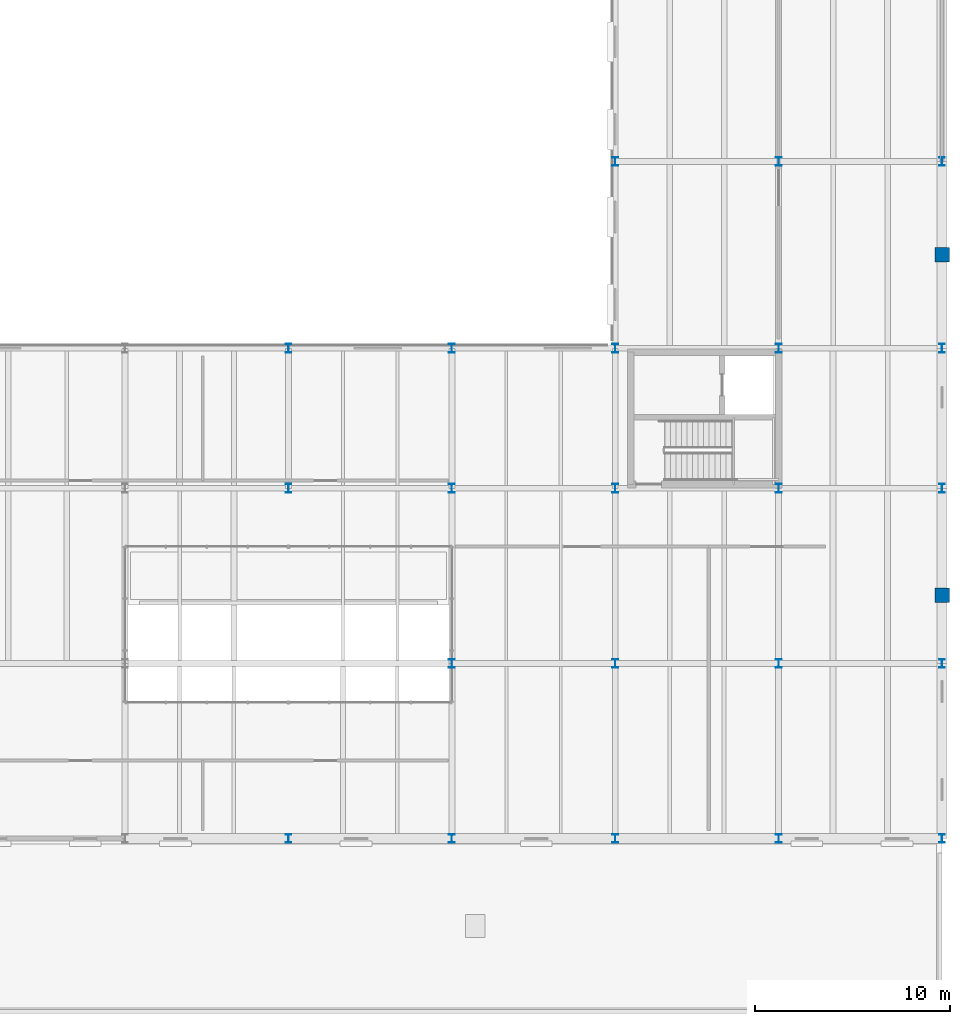
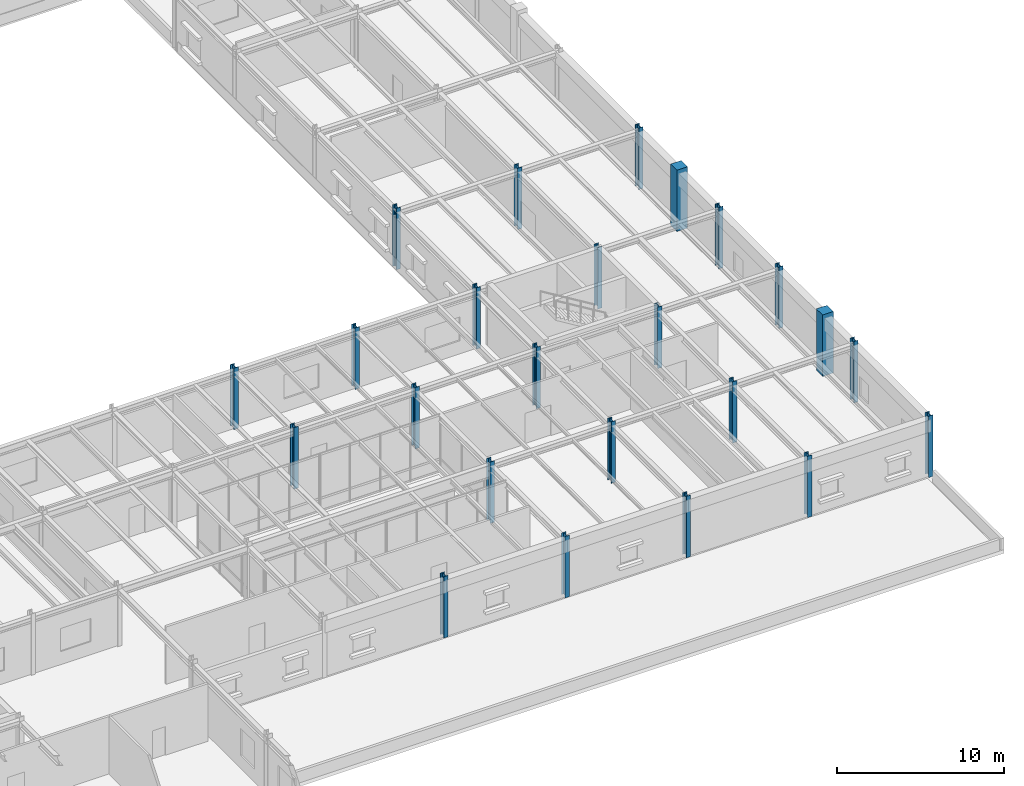
# One storey, part 16 of 64: 24 columns.
"""IFC4 building model written with IfcOpenShell, lengths in metres."""

from ifc_helpers import new_model, si_unit, direction, frame, origin, origin_2d, place, context, subcontext, project, spatial, rectangle, i_section, extrude, material, material_profile, profile_set, type_object, element, save


model = new_model("IFC4")

# Units and contexts
model_context = context("Model", 3, precision=1e-05, world=origin(), true_north=direction((0.0, 1.0)))
body_context = subcontext(model_context, "Body", "Model", "MODEL_VIEW")
ifc_project = project(units=[si_unit("LENGTHUNIT", "METRE"), si_unit("AREAUNIT", "SQUARE_METRE"), si_unit("VOLUMEUNIT", "CUBIC_METRE"), si_unit("PLANEANGLEUNIT", "RADIAN"), si_unit("MASSUNIT", "GRAM", prefix="KILO")], contexts=[model_context])

# Site, building, storey
site_placement = place(None, origin())
site = spatial("IfcSite", under=ifc_project, at=site_placement, CompositionType="ELEMENT")
building_placement = place(site_placement, origin())
building = spatial("IfcBuilding", under=site, at=building_placement, Name="Montealbar Specialist Clinic", CompositionType="ELEMENT")
storey_placement = place(building_placement, frame((0.0, 0.0, 5.10009765625)))
storey = spatial("IfcBuildingStorey", under=building, at=storey_placement, Name="L01", CompositionType="ELEMENT", Elevation=5.10009765625)

# Columns
ifc_material_1 = material(Name="Steel S355", Category="steel")
ifc_material_profile_1 = material_profile(ifc_material_1, i_section(OverallWidth=0.300048828125, OverallDepth=0.449951171875, WebThickness=0.013916015625, FlangeThickness=0.02587890625, FilletRadius=0.027099609375, at=origin_2d()), Name="HEB 450", Category="steel")
ifc_profile_set_1 = profile_set([ifc_material_profile_1], Name="Steel S355")
column_type_1 = type_object("IfcColumnType", Name="COL-S-L01-STD", PredefinedType="COLUMN", material=ifc_profile_set_1)
for number, where, z_axis, x_axis, name in (
    (1, (128.39990234375, 45.0, 0.0), (0.0, 0.0, 1.0), (1.0, 0.0, 0.0), "Column 17/F L01"),
    (2, (136.800048828125, 45.0, 0.0), (0.0, 0.0, 1.0), (1.0, 0.0, 0.0), "Column 18/F L01"),
    (3, (145.199951171875, 36.0, 0.0), (0.0, 0.0, 1.0), (1.0, 0.0, 0.0), "Column 19/E L01"),
    (4, (145.199951171875, 45.0, 0.0), (0.0, 0.0, 1.0), (1.0, 0.0, 0.0), "Column 19/F L01"),
    (5, (153.60009765625, 36.0, 0.0), (0.0, 0.0, 1.0), (1.0, 0.0, 0.0), "Column 20/E L01"),
    (6, (153.60009765625, 45.0, 0.0), (0.0, 0.0, 1.0), (1.0, 0.0, 0.0), "Column 20/F L01"),
    (7, (153.60009765625, 52.199951171875, 0.0), (0.0, 0.0, 1.0), (1.0, 0.0, 0.0), "Column 20/G L01"),
    (8, (153.60009765625, 61.800048828125, 0.0), (0.0, 0.0, 1.0), (1.0, 0.0, 0.0), "Column 20/H L01"),
):
    element("IfcColumn", number, at=place(storey_placement, frame(where, z_axis=z_axis, x_axis=x_axis)), inside=storey, type_object=column_type_1, Name=name, PredefinedType="COLUMN", context=body_context, shape_type="SweptSolid", body=[
        extrude(i_section(OverallWidth=0.300048828125, OverallDepth=0.449951171875, WebThickness=0.013916015625, FlangeThickness=0.02587890625, FilletRadius=0.027099609375, at=origin_2d()), origin(), (0.0, 0.0, 1.0), 4.5),
    ])
ifc_material_profile_2 = material_profile(ifc_material_1, i_section(OverallWidth=0.300048828125, OverallDepth=0.449951171875, WebThickness=0.013916015625, FlangeThickness=0.02587890625, FilletRadius=0.027099609375, at=origin_2d()), Name="HEB 450", Category="steel")
ifc_profile_set_2 = profile_set([ifc_material_profile_2], Name="Steel S355")
column_type_2 = type_object("IfcColumnType", Name="COL-S-L01-STD-EXT", PredefinedType="COLUMN", material=ifc_profile_set_2)
for number, where, z_axis, x_axis, name in (
    (9, (128.39990234375, 27.0, 0.0), (0.0, 0.0, 1.0), (1.0, 0.0, 0.0), "Column 17/D L01"),
    (10, (128.39990234375, 52.199951171875, 0.0), (0.0, 0.0, 1.0), (1.0, 0.0, 0.0), "Column 17/G L01"),
    (11, (136.800048828125, 27.0, 0.0), (0.0, 0.0, 1.0), (1.0, 0.0, 0.0), "Column 18/D L01"),
    (12, (136.800048828125, 36.0, 0.0), (0.0, 0.0, 1.0), (1.0, 0.0, 0.0), "Column 18/E L01"),
    (13, (136.800048828125, 52.199951171875, 0.0), (0.0, 0.0, 1.0), (1.0, 0.0, 0.0), "Column 18/G L01"),
    (14, (145.199951171875, 27.0, 0.0), (0.0, 0.0, 1.0), (1.0, 0.0, 0.0), "Column 19/D L01"),
    (15, (145.199951171875, 52.199951171875, 0.0), (0.0, 0.0, 1.0), (1.0, 0.0, 0.0), "Column 19/G L01"),
    (16, (145.199951171875, 61.800048828125, 0.0), (0.0, 0.0, 1.0), (1.0, 0.0, 0.0), "Column 19/H L01"),
    (17, (153.60009765625, 27.0, 0.0), (0.0, 0.0, 1.0), (1.0, 0.0, 0.0), "Column 20/D L01"),
    (18, (162.0, 27.0, 0.0), (0.0, 0.0, 1.0), (1.0, 0.0, 0.0), "Column 21/D L01"),
    (19, (162.0, 36.0, 0.0), (0.0, 0.0, 1.0), (1.0, 0.0, 0.0), "Column 21/E L01"),
    (20, (162.0, 45.0, 0.0), (0.0, 0.0, 1.0), (1.0, 0.0, 0.0), "Column 21/F L01"),
    (21, (162.0, 52.199951171875, 0.0), (0.0, 0.0, 1.0), (1.0, 0.0, 0.0), "Column 21/G L01"),
    (22, (162.0, 61.800048828125, 0.0), (0.0, 0.0, 1.0), (1.0, 0.0, 0.0), "Column 21/H L01"),
):
    element("IfcColumn", number, at=place(storey_placement, frame(where, z_axis=z_axis, x_axis=x_axis)), inside=storey, type_object=column_type_2, Name=name, PredefinedType="COLUMN", context=body_context, shape_type="SweptSolid", body=[
        extrude(i_section(OverallWidth=0.300048828125, OverallDepth=0.449951171875, WebThickness=0.013916015625, FlangeThickness=0.02587890625, FilletRadius=0.027099609375, at=origin_2d()), origin(), (0.0, 0.0, 1.0), 4.5),
    ])
ifc_material_2 = material(Name="Guadarrama granite ashlar", Category="masonry")
ifc_material_profile_3 = material_profile(ifc_material_2, rectangle(XDim=0.75, YDim=0.75, at=origin_2d()), Name="GRANITE PILASTER 750x750", Category="masonry")
ifc_profile_set_3 = profile_set([ifc_material_profile_3], Name="Guadarrama granite ashlar")
column_type_3 = type_object("IfcColumnType", Name="PIL-PM-GIANT-EXT", PredefinedType="PILASTER", material=ifc_profile_set_3)
for number, where, z_axis, x_axis, name in (
    (23, (162.0, 39.5, 0.0), (0.0, 0.0, 1.0), (1.0, 0.0, 0.0), "Column EP1/DE L01"),
    (24, (162.0, 57.0, 0.0), (0.0, 0.0, 1.0), (1.0, 0.0, 0.0), "Column EP2/GH L01"),
):
    element("IfcColumn", number, at=place(storey_placement, frame(where, z_axis=z_axis, x_axis=x_axis)), inside=storey, type_object=column_type_3, Name=name, PredefinedType="PILASTER", context=body_context, shape_type="SweptSolid", body=[
        extrude(rectangle(XDim=0.75, YDim=0.75, at=origin_2d()), origin(), (0.0, 0.0, 1.0), 4.5),
    ])

save(model, "model.ifc")
